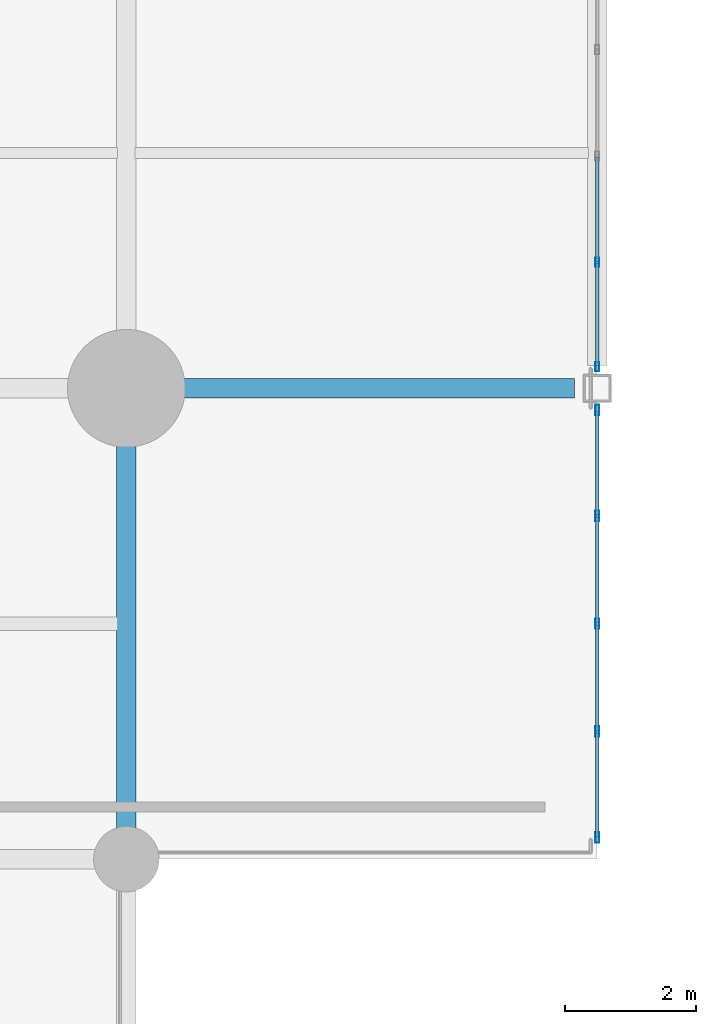
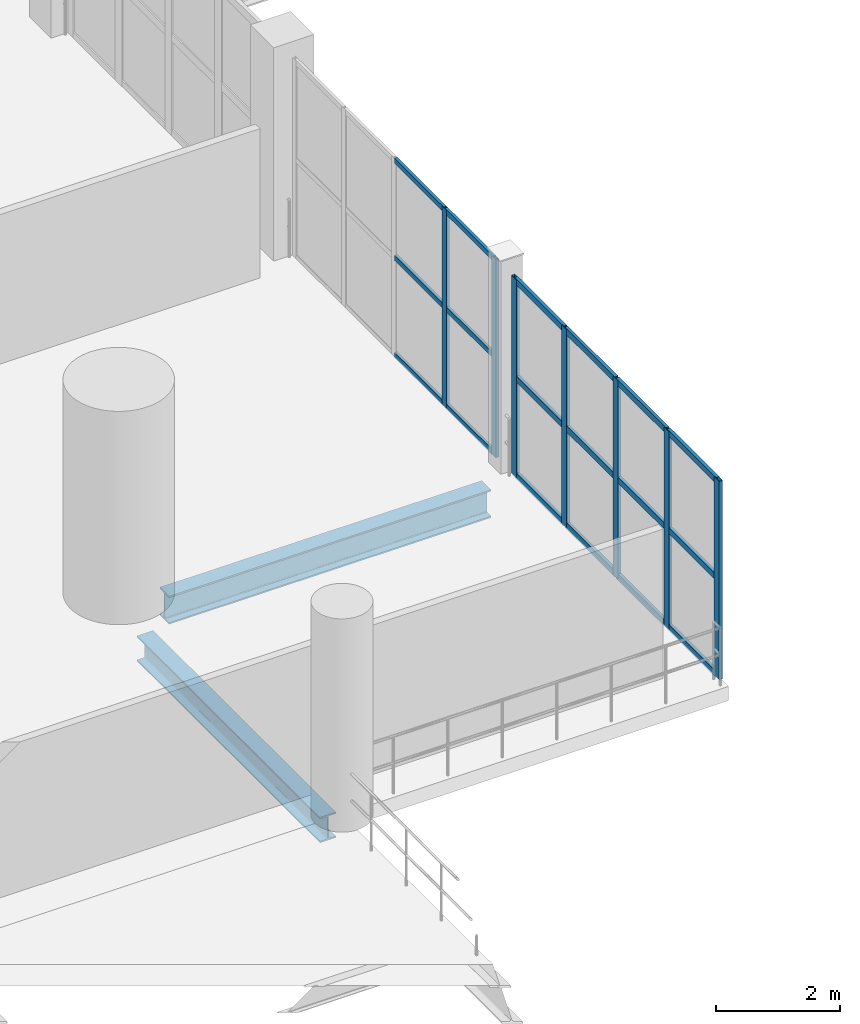
# One storey, part 42 of 130: 25 members, 2 beams, 2 elements without a shape of their own.
"""IFC4 building model written with IfcOpenShell, lengths in metres."""

from ifc_helpers import new_model, si_unit, direction, frame, origin, origin_2d, place, context, subcontext, project, spatial, hollow_rectangle, i_section, extrude, material, material_profile, profile_set, type_object, element, aggregate, save


model = new_model("IFC4")

# Units and contexts
model_context = context("Model", 3, precision=1e-05, world=origin(), true_north=direction((0.0, 1.0)))
body_context = subcontext(model_context, "Body", "Model", "MODEL_VIEW")
ifc_project = project(units=[si_unit("LENGTHUNIT", "METRE"), si_unit("AREAUNIT", "SQUARE_METRE"), si_unit("VOLUMEUNIT", "CUBIC_METRE"), si_unit("PLANEANGLEUNIT", "RADIAN"), si_unit("MASSUNIT", "GRAM", prefix="KILO")], contexts=[model_context])

# Site, building, storey
site_placement = place(None, origin())
site = spatial("IfcSite", under=ifc_project, at=site_placement, CompositionType="ELEMENT")
building_placement = place(site_placement, origin())
building = spatial("IfcBuilding", under=site, at=building_placement, Name="Qandorah Velis Arena", CompositionType="ELEMENT")
storey_placement = place(building_placement, frame((0.0, 0.0, 9.60009765625)))
storey = spatial("IfcBuildingStorey", under=building, at=storey_placement, Name="L02", CompositionType="ELEMENT", Elevation=9.60009765625)

# Curtain wall, members
ifc_material_1 = material(Name="Solar-control low-E double glazing", Category="glass")
curtain_wall_type_1 = type_object("IfcCurtainWallType", Name="ARC-CW-SYS24", PredefinedType="USERDEFINED", material=ifc_material_1)
curtain_wall_1_placement = place(storey_placement, origin())
curtain_wall_1 = element("IfcCurtainWall", 1, at=curtain_wall_1_placement, inside=storey, type_object=curtain_wall_type_1, Name="Unitised curtain wall L02-168", ObjectType="UNITISED CURTAIN WALL", PredefinedType="USERDEFINED")
ifc_material_2 = material(Name="Champagne-bronze anodized aluminium 6063-T6", Category="aluminium")
ifc_material_profile_1 = material_profile(ifc_material_2, hollow_rectangle(XDim=0.054931640625, YDim=0.139892578125, WallThickness=0.0029296875, at=origin_2d()), Name="ALU MULLION 55x140")
ifc_profile_set_1 = profile_set([ifc_material_profile_1], Name="Champagne-bronze anodized aluminium 6063-T6")
member_type_1 = type_object("IfcMemberType", Name="ARC-CWM-140", PredefinedType="MULLION", material=ifc_profile_set_1)
member_1_placement = place(storey_placement, frame((122.39990234375, 29.12744140625, -0.01513671875), z_axis=(0.0, 0.0, 1.0), x_axis=(-1.0, 0.0, 0.0)))
member_1 = element("IfcMember", 2, at=member_1_placement, type_object=member_type_1, Name="CW24 mullion 1", PredefinedType="MULLION", context=body_context, shape_type="SweptSolid", body=[
    extrude(hollow_rectangle(XDim=0.054931640625, YDim=0.139892578125, WallThickness=0.0029296875, at=origin_2d()), origin(), (0.0, 0.0, 1.0), 3.91015625),
])
member_2_placement = place(storey_placement, frame((122.39990234375, 30.72509765625, -0.01513671875), z_axis=(0.0, 0.0, 1.0), x_axis=(-1.0, 0.0, 0.0)))
member_2 = element("IfcMember", 3, at=member_2_placement, type_object=member_type_1, Name="CW24 mullion 2", PredefinedType="MULLION", context=body_context, shape_type="SweptSolid", body=[
    extrude(hollow_rectangle(XDim=0.054931640625, YDim=0.139892578125, WallThickness=0.0029296875, at=origin_2d()), origin(), (0.0, 0.0, 1.0), 3.91015625),
])

curtain_wall_type_2 = type_object("IfcCurtainWallType", Name="ARC-CW-SYS23", PredefinedType="USERDEFINED", material=ifc_material_1)
curtain_wall_2_placement = place(storey_placement, origin())
curtain_wall_2 = element("IfcCurtainWall", 4, at=curtain_wall_2_placement, inside=storey, type_object=curtain_wall_type_2, Name="Unitised curtain wall L02-167", ObjectType="UNITISED CURTAIN WALL", PredefinedType="USERDEFINED")
ifc_material_profile_2 = material_profile(ifc_material_2, hollow_rectangle(XDim=0.06005859375, YDim=0.159912109375, WallThickness=0.00341796875, at=origin_2d()), Name="ALU MULLION 60x160")
ifc_profile_set_2 = profile_set([ifc_material_profile_2], Name="Champagne-bronze anodized aluminium 6063-T6")
member_type_2 = type_object("IfcMemberType", Name="ARC-CWM-160", PredefinedType="MULLION", material=ifc_profile_set_2)
member_3_placement = place(storey_placement, frame((122.39990234375, 21.929931640625, -0.01513671875), z_axis=(0.0, 0.0, 1.0), x_axis=(-1.0, 0.0, 0.0)))
member_3 = element("IfcMember", 5, at=member_3_placement, type_object=member_type_2, Name="CW23 mullion 1", PredefinedType="MULLION", context=body_context, shape_type="SweptSolid", body=[
    extrude(hollow_rectangle(XDim=0.06005859375, YDim=0.159912109375, WallThickness=0.00341796875, at=origin_2d()), origin(), (0.0, 0.0, 1.0), 3.91015625),
])
member_4_placement = place(storey_placement, frame((122.39990234375, 23.550048828125, -0.01513671875), z_axis=(0.0, 0.0, 1.0), x_axis=(-1.0, 0.0, 0.0)))
member_4 = element("IfcMember", 6, at=member_4_placement, type_object=member_type_2, Name="CW23 mullion 2", PredefinedType="MULLION", context=body_context, shape_type="SweptSolid", body=[
    extrude(hollow_rectangle(XDim=0.06005859375, YDim=0.159912109375, WallThickness=0.00341796875, at=origin_2d()), origin(), (0.0, 0.0, 1.0), 3.91015625),
])
member_5_placement = place(storey_placement, frame((122.39990234375, 25.199951171875, -0.01513671875), z_axis=(0.0, 0.0, 1.0), x_axis=(-1.0, 0.0, 0.0)))
member_5 = element("IfcMember", 7, at=member_5_placement, type_object=member_type_2, Name="CW23 mullion 3", PredefinedType="MULLION", context=body_context, shape_type="SweptSolid", body=[
    extrude(hollow_rectangle(XDim=0.06005859375, YDim=0.159912109375, WallThickness=0.00341796875, at=origin_2d()), origin(), (0.0, 0.0, 1.0), 3.91015625),
])
member_6_placement = place(storey_placement, frame((122.39990234375, 26.85009765625, -0.01513671875), z_axis=(0.0, 0.0, 1.0), x_axis=(-1.0, 0.0, 0.0)))
member_6 = element("IfcMember", 8, at=member_6_placement, type_object=member_type_2, Name="CW23 mullion 4", PredefinedType="MULLION", context=body_context, shape_type="SweptSolid", body=[
    extrude(hollow_rectangle(XDim=0.06005859375, YDim=0.159912109375, WallThickness=0.00341796875, at=origin_2d()), origin(), (0.0, 0.0, 1.0), 3.91015625),
])
member_7_placement = place(storey_placement, frame((122.39990234375, 28.469970703125, -0.01513671875), z_axis=(0.0, 0.0, 1.0), x_axis=(-1.0, 0.0, 0.0)))
member_7 = element("IfcMember", 9, at=member_7_placement, type_object=member_type_2, Name="CW23 mullion 5", PredefinedType="MULLION", context=body_context, shape_type="SweptSolid", body=[
    extrude(hollow_rectangle(XDim=0.06005859375, YDim=0.159912109375, WallThickness=0.00341796875, at=origin_2d()), origin(), (0.0, 0.0, 1.0), 3.91015625),
])

# Member
ifc_material_profile_3 = material_profile(ifc_material_2, hollow_rectangle(XDim=0.054931640625, YDim=0.10009765625, WallThickness=0.0029296875, at=origin_2d()), Name="ALU TRANSOM 55x100")
ifc_profile_set_3 = profile_set([ifc_material_profile_3], Name="Champagne-bronze anodized aluminium 6063-T6")
member_type_3 = type_object("IfcMemberType", Name="ARC-CWT-100", PredefinedType="USERDEFINED", material=ifc_profile_set_3)
member_8_placement = place(storey_placement, frame((122.39990234375, 29.14306640625, 0.02734375), z_axis=(0.0, 1.0, 0.0), x_axis=(-1.0, 0.0, 0.0)))
member_8 = element("IfcMember", 10, at=member_8_placement, type_object=member_type_3, Name="CW24 transom 1.1", ObjectType="TRANSOM", PredefinedType="USERDEFINED", context=body_context, shape_type="SweptSolid", body=[
    extrude(hollow_rectangle(XDim=0.054931640625, YDim=0.10009765625, WallThickness=0.0029296875, at=origin_2d()), origin(), (0.0, 0.0, 1.0), 1.56640625),
])

member_9_placement = place(storey_placement, frame((122.39990234375, 29.14306640625, 1.93994140625), z_axis=(0.0, 1.0, 0.0), x_axis=(-1.0, 0.0, 0.0)))
member_9 = element("IfcMember", 11, at=member_9_placement, type_object=member_type_3, Name="CW24 transom 1.2", ObjectType="TRANSOM", PredefinedType="USERDEFINED", context=body_context, shape_type="SweptSolid", body=[
    extrude(hollow_rectangle(XDim=0.054931640625, YDim=0.10009765625, WallThickness=0.0029296875, at=origin_2d()), origin(), (0.0, 0.0, 1.0), 1.56640625),
])

member_10_placement = place(storey_placement, frame((122.39990234375, 29.14306640625, 3.852294921875), z_axis=(0.0, 1.0, 0.0), x_axis=(-1.0, 0.0, 0.0)))
member_10 = element("IfcMember", 12, at=member_10_placement, type_object=member_type_3, Name="CW24 transom 1.3", ObjectType="TRANSOM", PredefinedType="USERDEFINED", context=body_context, shape_type="SweptSolid", body=[
    extrude(hollow_rectangle(XDim=0.054931640625, YDim=0.10009765625, WallThickness=0.0029296875, at=origin_2d()), origin(), (0.0, 0.0, 1.0), 1.56640625),
])

member_11_placement = place(storey_placement, frame((122.39990234375, 30.740478515625, 0.02734375), z_axis=(0.0, 1.0, 0.0), x_axis=(-1.0, 0.0, 0.0)))
member_11 = element("IfcMember", 13, at=member_11_placement, type_object=member_type_3, Name="CW24 transom 2.1", ObjectType="TRANSOM", PredefinedType="USERDEFINED", context=body_context, shape_type="SweptSolid", body=[
    extrude(hollow_rectangle(XDim=0.054931640625, YDim=0.10009765625, WallThickness=0.0029296875, at=origin_2d()), origin(), (0.0, 0.0, 1.0), 1.593994140625),
])

member_12_placement = place(storey_placement, frame((122.39990234375, 30.740478515625, 1.93994140625), z_axis=(0.0, 1.0, 0.0), x_axis=(-1.0, 0.0, 0.0)))
member_12 = element("IfcMember", 14, at=member_12_placement, type_object=member_type_3, Name="CW24 transom 2.2", ObjectType="TRANSOM", PredefinedType="USERDEFINED", context=body_context, shape_type="SweptSolid", body=[
    extrude(hollow_rectangle(XDim=0.054931640625, YDim=0.10009765625, WallThickness=0.0029296875, at=origin_2d()), origin(), (0.0, 0.0, 1.0), 1.593994140625),
])

member_13_placement = place(storey_placement, frame((122.39990234375, 30.740478515625, 3.852294921875), z_axis=(0.0, 1.0, 0.0), x_axis=(-1.0, 0.0, 0.0)))
member_13 = element("IfcMember", 15, at=member_13_placement, type_object=member_type_3, Name="CW24 transom 2.3", ObjectType="TRANSOM", PredefinedType="USERDEFINED", context=body_context, shape_type="SweptSolid", body=[
    extrude(hollow_rectangle(XDim=0.054931640625, YDim=0.10009765625, WallThickness=0.0029296875, at=origin_2d()), origin(), (0.0, 0.0, 1.0), 1.593994140625),
])

aggregate(curtain_wall_1, [member_1, member_2, member_8, member_9, member_10, member_11, member_12, member_13])

ifc_material_profile_4 = material_profile(ifc_material_2, hollow_rectangle(XDim=0.06005859375, YDim=0.1201171875, WallThickness=0.0029296875, at=origin_2d()), Name="ALU TRANSOM 60x120")
ifc_profile_set_4 = profile_set([ifc_material_profile_4], Name="Champagne-bronze anodized aluminium 6063-T6")
member_type_4 = type_object("IfcMemberType", Name="ARC-CWT-120", PredefinedType="USERDEFINED", material=ifc_profile_set_4)
member_14_placement = place(storey_placement, frame((122.39990234375, 21.947998046875, 0.02978515625), z_axis=(0.0, 1.0, 0.0), x_axis=(-1.0, 0.0, 0.0)))
member_14 = element("IfcMember", 16, at=member_14_placement, type_object=member_type_4, Name="CW23 transom 1.1", ObjectType="TRANSOM", PredefinedType="USERDEFINED", context=body_context, shape_type="SweptSolid", body=[
    extrude(hollow_rectangle(XDim=0.06005859375, YDim=0.1201171875, WallThickness=0.0029296875, at=origin_2d()), origin(), (0.0, 0.0, 1.0), 1.583984375),
])

member_15_placement = place(storey_placement, frame((122.39990234375, 21.947998046875, 1.93994140625), z_axis=(0.0, 1.0, 0.0), x_axis=(-1.0, 0.0, 0.0)))
member_15 = element("IfcMember", 17, at=member_15_placement, type_object=member_type_4, Name="CW23 transom 1.2", ObjectType="TRANSOM", PredefinedType="USERDEFINED", context=body_context, shape_type="SweptSolid", body=[
    extrude(hollow_rectangle(XDim=0.06005859375, YDim=0.1201171875, WallThickness=0.0029296875, at=origin_2d()), origin(), (0.0, 0.0, 1.0), 1.583984375),
])

member_16_placement = place(storey_placement, frame((122.39990234375, 21.947998046875, 3.849853515625), z_axis=(0.0, 1.0, 0.0), x_axis=(-1.0, 0.0, 0.0)))
member_16 = element("IfcMember", 18, at=member_16_placement, type_object=member_type_4, Name="CW23 transom 1.3", ObjectType="TRANSOM", PredefinedType="USERDEFINED", context=body_context, shape_type="SweptSolid", body=[
    extrude(hollow_rectangle(XDim=0.06005859375, YDim=0.1201171875, WallThickness=0.0029296875, at=origin_2d()), origin(), (0.0, 0.0, 1.0), 1.583984375),
])

member_17_placement = place(storey_placement, frame((122.39990234375, 23.568115234375, 0.02978515625), z_axis=(0.0, 1.0, 0.0), x_axis=(-1.0, 0.0, 0.0)))
member_17 = element("IfcMember", 19, at=member_17_placement, type_object=member_type_4, Name="CW23 transom 2.1", ObjectType="TRANSOM", PredefinedType="USERDEFINED", context=body_context, shape_type="SweptSolid", body=[
    extrude(hollow_rectangle(XDim=0.06005859375, YDim=0.1201171875, WallThickness=0.0029296875, at=origin_2d()), origin(), (0.0, 0.0, 1.0), 1.61376953125),
])

member_18_placement = place(storey_placement, frame((122.39990234375, 23.568115234375, 1.93994140625), z_axis=(0.0, 1.0, 0.0), x_axis=(-1.0, 0.0, 0.0)))
member_18 = element("IfcMember", 20, at=member_18_placement, type_object=member_type_4, Name="CW23 transom 2.2", ObjectType="TRANSOM", PredefinedType="USERDEFINED", context=body_context, shape_type="SweptSolid", body=[
    extrude(hollow_rectangle(XDim=0.06005859375, YDim=0.1201171875, WallThickness=0.0029296875, at=origin_2d()), origin(), (0.0, 0.0, 1.0), 1.61376953125),
])

member_19_placement = place(storey_placement, frame((122.39990234375, 23.568115234375, 3.849853515625), z_axis=(0.0, 1.0, 0.0), x_axis=(-1.0, 0.0, 0.0)))
member_19 = element("IfcMember", 21, at=member_19_placement, type_object=member_type_4, Name="CW23 transom 2.3", ObjectType="TRANSOM", PredefinedType="USERDEFINED", context=body_context, shape_type="SweptSolid", body=[
    extrude(hollow_rectangle(XDim=0.06005859375, YDim=0.1201171875, WallThickness=0.0029296875, at=origin_2d()), origin(), (0.0, 0.0, 1.0), 1.61376953125),
])

member_20_placement = place(storey_placement, frame((122.39990234375, 25.218017578125, 0.02978515625), z_axis=(0.0, 1.0, 0.0), x_axis=(-1.0, 0.0, 0.0)))
member_20 = element("IfcMember", 22, at=member_20_placement, type_object=member_type_4, Name="CW23 transom 3.1", ObjectType="TRANSOM", PredefinedType="USERDEFINED", context=body_context, shape_type="SweptSolid", body=[
    extrude(hollow_rectangle(XDim=0.06005859375, YDim=0.1201171875, WallThickness=0.0029296875, at=origin_2d()), origin(), (0.0, 0.0, 1.0), 1.614013671875),
])

member_21_placement = place(storey_placement, frame((122.39990234375, 25.218017578125, 1.93994140625), z_axis=(0.0, 1.0, 0.0), x_axis=(-1.0, 0.0, 0.0)))
member_21 = element("IfcMember", 23, at=member_21_placement, type_object=member_type_4, Name="CW23 transom 3.2", ObjectType="TRANSOM", PredefinedType="USERDEFINED", context=body_context, shape_type="SweptSolid", body=[
    extrude(hollow_rectangle(XDim=0.06005859375, YDim=0.1201171875, WallThickness=0.0029296875, at=origin_2d()), origin(), (0.0, 0.0, 1.0), 1.614013671875),
])

member_22_placement = place(storey_placement, frame((122.39990234375, 25.218017578125, 3.849853515625), z_axis=(0.0, 1.0, 0.0), x_axis=(-1.0, 0.0, 0.0)))
member_22 = element("IfcMember", 24, at=member_22_placement, type_object=member_type_4, Name="CW23 transom 3.3", ObjectType="TRANSOM", PredefinedType="USERDEFINED", context=body_context, shape_type="SweptSolid", body=[
    extrude(hollow_rectangle(XDim=0.06005859375, YDim=0.1201171875, WallThickness=0.0029296875, at=origin_2d()), origin(), (0.0, 0.0, 1.0), 1.614013671875),
])

member_23_placement = place(storey_placement, frame((122.39990234375, 26.867919921875, 0.02978515625), z_axis=(0.0, 1.0, 0.0), x_axis=(-1.0, 0.0, 0.0)))
member_23 = element("IfcMember", 25, at=member_23_placement, type_object=member_type_4, Name="CW23 transom 4.1", ObjectType="TRANSOM", PredefinedType="USERDEFINED", context=body_context, shape_type="SweptSolid", body=[
    extrude(hollow_rectangle(XDim=0.06005859375, YDim=0.1201171875, WallThickness=0.0029296875, at=origin_2d()), origin(), (0.0, 0.0, 1.0), 1.583984375),
])

member_24_placement = place(storey_placement, frame((122.39990234375, 26.867919921875, 1.93994140625), z_axis=(0.0, 1.0, 0.0), x_axis=(-1.0, 0.0, 0.0)))
member_24 = element("IfcMember", 26, at=member_24_placement, type_object=member_type_4, Name="CW23 transom 4.2", ObjectType="TRANSOM", PredefinedType="USERDEFINED", context=body_context, shape_type="SweptSolid", body=[
    extrude(hollow_rectangle(XDim=0.06005859375, YDim=0.1201171875, WallThickness=0.0029296875, at=origin_2d()), origin(), (0.0, 0.0, 1.0), 1.583984375),
])

member_25_placement = place(storey_placement, frame((122.39990234375, 26.867919921875, 3.849853515625), z_axis=(0.0, 1.0, 0.0), x_axis=(-1.0, 0.0, 0.0)))
member_25 = element("IfcMember", 27, at=member_25_placement, type_object=member_type_4, Name="CW23 transom 4.3", ObjectType="TRANSOM", PredefinedType="USERDEFINED", context=body_context, shape_type="SweptSolid", body=[
    extrude(hollow_rectangle(XDim=0.06005859375, YDim=0.1201171875, WallThickness=0.0029296875, at=origin_2d()), origin(), (0.0, 0.0, 1.0), 1.583984375),
])

aggregate(curtain_wall_2, [member_3, member_4, member_5, member_6, member_7, member_14, member_15, member_16, member_17, member_18, member_19, member_20, member_21, member_22, member_23, member_24, member_25])

# Beams
ifc_material_3 = material(Name="Steel S355", Category="steel")
ifc_material_profile_5 = material_profile(ifc_material_3, i_section(OverallWidth=0.300048828125, OverallDepth=0.5, WebThickness=0.014404296875, FlangeThickness=0.028076171875, FilletRadius=0.027099609375, at=origin_2d()), Name="HEB 500")
ifc_profile_set_5 = profile_set([ifc_material_profile_5], Name="Steel S355")
beam_type_1 = type_object("IfcBeamType", Name="STR-BM-HEB500", PredefinedType="BEAM", material=ifc_profile_set_5)
beam_1_placement = place(storey_placement, frame((115.199951171875, 22.050048828125, -0.530029296875), z_axis=(0.0, 1.0, 0.0), x_axis=(-1.0, 0.0, 0.0)))
element("IfcBeam", 28, at=beam_1_placement, inside=storey, type_object=beam_type_1, Name="Primary floor girder L02 Y-308", PredefinedType="BEAM", context=body_context, shape_type="SweptSolid", body=[
    extrude(i_section(OverallWidth=0.300048828125, OverallDepth=0.5, WebThickness=0.014404296875, FlangeThickness=0.028076171875, FilletRadius=0.027099609375, at=origin_2d()), origin(), (0.0, 0.0, 1.0), 5.89990234375),
])
ifc_material_profile_6 = material_profile(ifc_material_3, i_section(OverallWidth=0.300048828125, OverallDepth=0.550048828125, WebThickness=0.014892578125, FlangeThickness=0.029052734375, FilletRadius=0.027099609375, at=origin_2d()), Name="HEB 550")
ifc_profile_set_6 = profile_set([ifc_material_profile_6], Name="Steel S355")
beam_type_2 = type_object("IfcBeamType", Name="STR-BM-HEB550", PredefinedType="BEAM", material=ifc_profile_set_6)
beam_2_placement = place(storey_placement, frame((116.050048828125, 28.800048828125, -0.55517578125), z_axis=(1.0, 0.0, 0.0), x_axis=(0.0, 1.0, 0.0)))
element("IfcBeam", 29, at=beam_2_placement, inside=storey, type_object=beam_type_2, Name="Primary floor girder L02 X-061", PredefinedType="BEAM", context=body_context, shape_type="SweptSolid", body=[
    extrude(i_section(OverallWidth=0.300048828125, OverallDepth=0.550048828125, WebThickness=0.014892578125, FlangeThickness=0.029052734375, FilletRadius=0.027099609375, at=origin_2d()), origin(), (0.0, 0.0, 1.0), 6.0),
])

save(model, "model.ifc")
